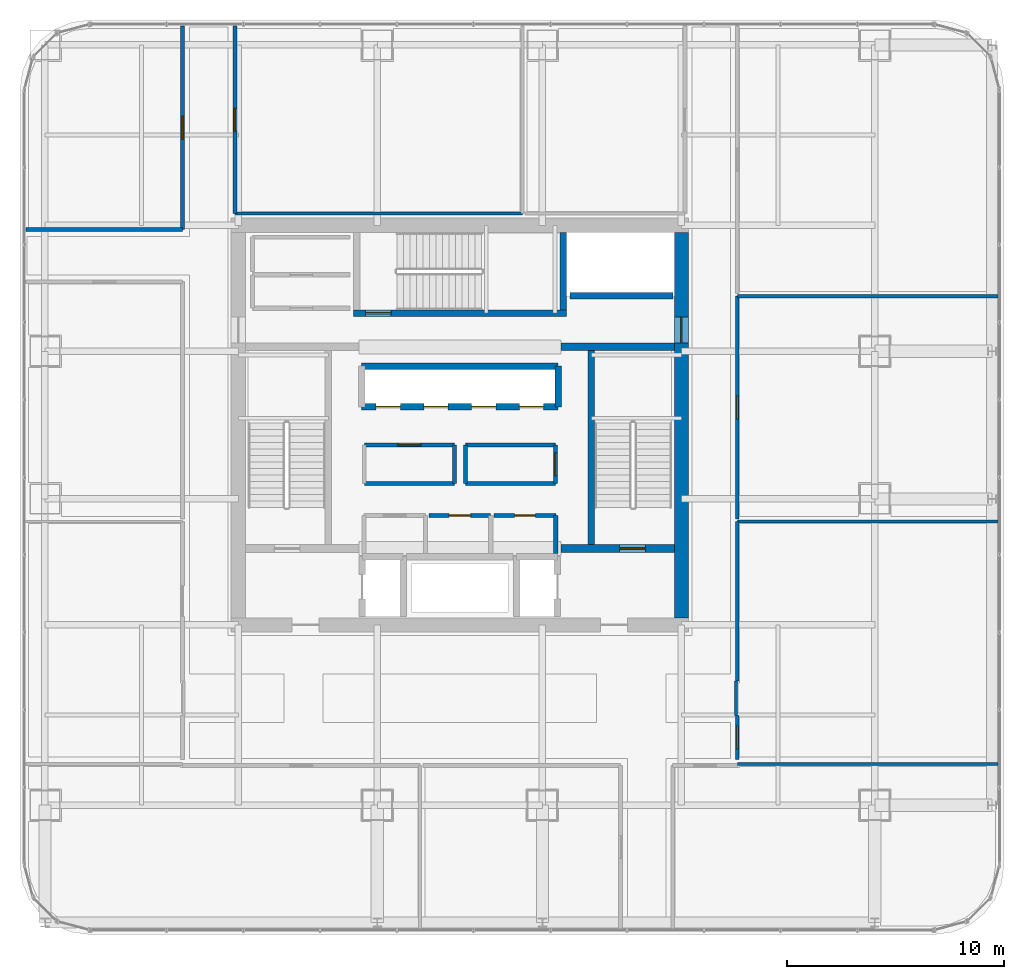
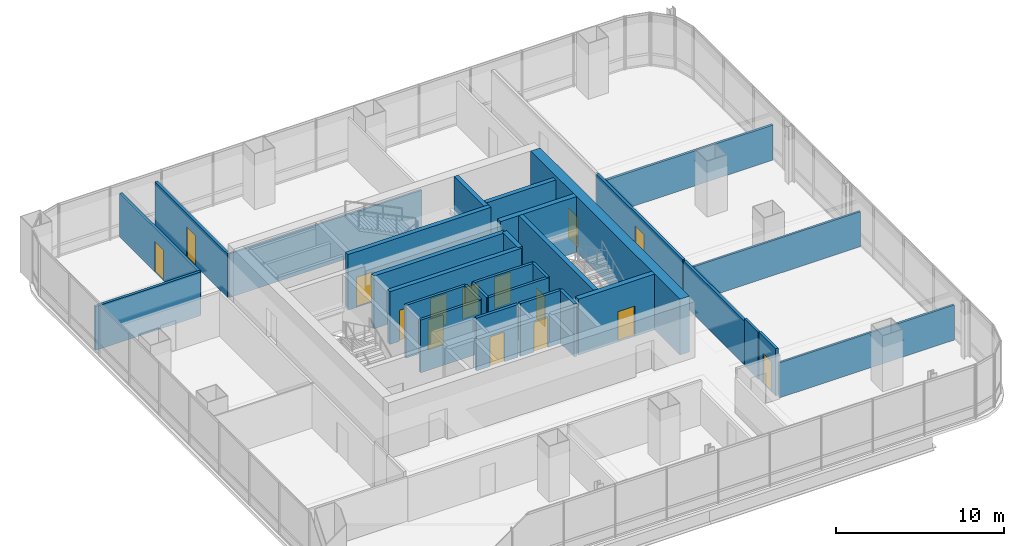
# One storey, part 30 of 36: 31 walls, 15 doors, 15 openings.
"""IFC4 building model written with IfcOpenShell, lengths in metres."""

from ifc_helpers import new_model, si_unit, direction, frame, frame_2d, origin, place, context, subcontext, project, spatial, rectangle, extrude, material, layer, layer_set, type_object, element, fill, save


model = new_model("IFC4")

# Units and contexts
model_context = context("Model", 3, precision=1e-05, world=origin(), true_north=direction((0.0, 1.0)))
body_context = subcontext(model_context, "Body", "Model", "MODEL_VIEW")
ifc_project = project(units=[si_unit("LENGTHUNIT", "METRE"), si_unit("AREAUNIT", "SQUARE_METRE"), si_unit("VOLUMEUNIT", "CUBIC_METRE"), si_unit("PLANEANGLEUNIT", "RADIAN"), si_unit("MASSUNIT", "GRAM", prefix="KILO")], contexts=[model_context])

# Site, building, storey
site_placement = place(None, origin())
site = spatial("IfcSite", under=ifc_project, at=site_placement, CompositionType="ELEMENT")
building_placement = place(site_placement, origin())
building = spatial("IfcBuilding", under=site, at=building_placement, Name="Punatoya Terracotta Tower", CompositionType="ELEMENT")
storey_placement = place(building_placement, frame((0.0, 0.0, 208.64990234375)))
storey = spatial("IfcBuildingStorey", under=building, at=storey_placement, Name="L49", CompositionType="ELEMENT", Elevation=208.64990234375)

# Wall, opening, door
ifc_material_1 = material(Name="Concrete C60/75", Category="concrete")
ifc_layer_1 = layer(ifc_material_1, 0.64990234375)
ifc_layer_set_1 = layer_set([ifc_layer_1], Name="Concrete C60/75")
wall_type_1 = type_object("IfcWallType", Name="WL-COR-650", PredefinedType="SHEAR", material=ifc_layer_set_1)
wall_1_placement = place(storey_placement, frame((10.199951171875, 8.875, 0.0), z_axis=(0.0, 0.0, 1.0), x_axis=(0.0, -1.0, 0.0)))
wall_1 = element("IfcWall", 1, at=wall_1_placement, inside=storey, type_object=wall_type_1, Name="L49 Core Shear Wall E", PredefinedType="SHEAR", context=body_context, shape_type="SweptSolid", body=[
    extrude(rectangle(XDim=17.75, YDim=0.64990234375, at=frame_2d((8.875, 0.0))), origin(), (0.0, 0.0, 1.0), 4.050048828125),
])
opening_1_placement = place(wall_1_placement, frame((3.905029296875, 0.0, 0.0)))
opening_1 = element("IfcOpeningElement", 2, at=opening_1_placement, cuts=wall_1, Name="Opening SD-01", PredefinedType="OPENING", context=body_context, shape_type="SweptSolid", body=[
    extrude(rectangle(XDim=1.179931640625, YDim=2.199951171875, at=frame_2d((0.58984375, 1.10009765625))), frame((0.0, 0.3349609375, 0.0), z_axis=(0.0, -1.0, 0.0), x_axis=(1.0, 0.0, 0.0)), (0.0, 0.0, 1.0), 0.669921875),
])
ifc_material_2 = material(Name="Galvanised Steel Pressurized Stair Fire Door", Category="steel")
door_type_1 = type_object("IfcDoorType", Name="DR-STR-1180", OperationType="NOTDEFINED", PredefinedType="DOOR", material=ifc_material_2)
door_1_placement = place(opening_1_placement, origin())
door_1 = element("IfcDoor", 3, at=door_1_placement, inside=storey, type_object=door_type_1, Name="L49 Central Lift Lobby East Fire Door", OperationType="SINGLE_SWING_RIGHT", OverallHeight=2.199951171875, OverallWidth=1.179931640625, PredefinedType="DOOR", context=body_context, shape_type="SweptSolid", body=[
    extrude(rectangle(XDim=1.179931640625, YDim=2.199951171875, at=frame_2d((0.58984375, 1.10009765625))), frame((0.0, 0.02490234375, 0.0), z_axis=(0.0, -1.0, 0.0), x_axis=(1.0, 0.0, 0.0)), (0.0, 0.0, 1.0), 0.050048828125),
])
fill(opening_1, door_1)

# Wall
ifc_material_3 = material(Name="Gypsum Fireboard + Steel Stud", Category="steel")
ifc_layer_2 = layer(ifc_material_3, 0.179931640625)
ifc_layer_set_2 = layer_set([ifc_layer_2], Name="Gypsum Fireboard + Steel Stud")
wall_type_2 = type_object("IfcWallType", Name="WL-CORR-180", PredefinedType="PARTITIONING", material=ifc_layer_set_2)
wall_2_placement = place(storey_placement, frame((-0.25, -2.679931640625, 0.0), z_axis=(0.0, 0.0, 1.0), x_axis=(0.0, 1.0, 0.0)))
element("IfcWall", 4, at=wall_2_placement, inside=storey, type_object=wall_type_2, Name="L49 West Core Focus Pod Partition 08", PredefinedType="PARTITIONING", context=body_context, shape_type="SweptSolid", body=[
    extrude(rectangle(XDim=1.760009765625, YDim=0.179931640625, at=frame_2d((0.8798828125, 0.0))), origin(), (0.0, 0.0, 1.0), 3.830078125),
])

# Wall, opening, door
wall_3_placement = place(storey_placement, frame((-0.25, -0.919921875, 0.0), z_axis=(0.0, 0.0, 1.0), x_axis=(-1.0, 0.0, 0.0)))
wall_3 = element("IfcWall", 5, at=wall_3_placement, inside=storey, type_object=wall_type_2, Name="L49 West Core Focus Pod Partition 09", PredefinedType="PARTITIONING", context=body_context, shape_type="SweptSolid", body=[
    extrude(rectangle(XDim=4.14990234375, YDim=0.179931640625, at=frame_2d((2.074951171875, 0.0))), origin(), (0.0, 0.0, 1.0), 3.830078125),
])
opening_2_placement = place(wall_3_placement, frame((1.550048828125, 0.0, 0.0)))
opening_2 = element("IfcOpeningElement", 6, at=opening_2_placement, cuts=wall_3, Name="Opening OD-01", PredefinedType="OPENING", context=body_context, shape_type="SweptSolid", body=[
    extrude(rectangle(XDim=1.050048828125, YDim=2.199951171875, at=frame_2d((0.52490234375, 1.10009765625))), frame((0.0, 0.099853515625, 0.0), z_axis=(0.0, -1.0, 0.0), x_axis=(1.0, 0.0, 0.0)), (0.0, 0.0, 1.0), 0.199951171875),
])
ifc_material_4 = material(Name="Bengal Teak Solid-Core Leaf")
door_type_2 = type_object("IfcDoorType", Name="DR-OFF-1050", OperationType="NOTDEFINED", PredefinedType="DOOR", material=ifc_material_4)
door_2_placement = place(opening_2_placement, origin())
door_2 = element("IfcDoor", 7, at=door_2_placement, inside=storey, type_object=door_type_2, Name="L49 West Focus Pod Door", OperationType="SINGLE_SWING_RIGHT", OverallHeight=2.199951171875, OverallWidth=1.050048828125, PredefinedType="DOOR", context=body_context, shape_type="SweptSolid", body=[
    extrude(rectangle(XDim=1.050048828125, YDim=2.199951171875, at=frame_2d((0.52490234375, 1.10009765625))), frame((0.0, 0.02490234375, 0.0), z_axis=(0.0, -1.0, 0.0), x_axis=(1.0, 0.0, 0.0)), (0.0, 0.0, 1.0), 0.050048828125),
])
fill(opening_2, door_2)

# Wall
wall_4_placement = place(storey_placement, frame((-4.39990234375, -2.679931640625, 0.0), z_axis=(0.0, 0.0, 1.0), x_axis=(1.0, 0.0, 0.0)))
element("IfcWall", 8, at=wall_4_placement, inside=storey, type_object=wall_type_2, Name="L49 West Core Focus Pod Partition 11", PredefinedType="PARTITIONING", context=body_context, shape_type="SweptSolid", body=[
    extrude(rectangle(XDim=4.14990234375, YDim=0.179931640625, at=frame_2d((2.074951171875, 0.0))), origin(), (0.0, 0.0, 1.0), 3.830078125),
])

# Wall, opening, door
wall_5_placement = place(storey_placement, frame((4.39990234375, -2.679931640625, 0.0), z_axis=(0.0, 0.0, 1.0), x_axis=(0.0, 1.0, 0.0)))
wall_5 = element("IfcWall", 9, at=wall_5_placement, inside=storey, type_object=wall_type_2, Name="L49 East Core Wellness Room Partition 12", PredefinedType="PARTITIONING", context=body_context, shape_type="SweptSolid", body=[
    extrude(rectangle(XDim=1.760009765625, YDim=0.179931640625, at=frame_2d((0.8798828125, 0.0))), origin(), (0.0, 0.0, 1.0), 3.830078125),
])
opening_3_placement = place(wall_5_placement, frame((0.35498046875, 0.0, 0.0)))
opening_3 = element("IfcOpeningElement", 10, at=opening_3_placement, cuts=wall_5, Name="Opening OD-01", PredefinedType="OPENING", context=body_context, shape_type="SweptSolid", body=[
    extrude(rectangle(XDim=1.050048828125, YDim=2.199951171875, at=frame_2d((0.52490234375, 1.10009765625))), frame((0.0, 0.099853515625, 0.0), z_axis=(0.0, -1.0, 0.0), x_axis=(1.0, 0.0, 0.0)), (0.0, 0.0, 1.0), 0.199951171875),
])
door_3_placement = place(opening_3_placement, origin())
door_3 = element("IfcDoor", 11, at=door_3_placement, inside=storey, type_object=door_type_2, Name="L49 East Wellness Room Door", OperationType="SINGLE_SWING_LEFT", OverallHeight=2.199951171875, OverallWidth=1.050048828125, PredefinedType="DOOR", context=body_context, shape_type="SweptSolid", body=[
    extrude(rectangle(XDim=1.050048828125, YDim=2.199951171875, at=frame_2d((0.52490234375, 1.10009765625))), frame((0.0, 0.02490234375, 0.0), z_axis=(0.0, -1.0, 0.0), x_axis=(1.0, 0.0, 0.0)), (0.0, 0.0, 1.0), 0.050048828125),
])
fill(opening_3, door_3)

# Walls
wall_6_placement = place(storey_placement, frame((4.39990234375, -0.919921875, 0.0), z_axis=(0.0, 0.0, 1.0), x_axis=(-1.0, 0.0, 0.0)))
element("IfcWall", 12, at=wall_6_placement, inside=storey, type_object=wall_type_2, Name="L49 East Core Wellness Room Partition 13", PredefinedType="PARTITIONING", context=body_context, shape_type="SweptSolid", body=[
    extrude(rectangle(XDim=4.14990234375, YDim=0.179931640625, at=frame_2d((2.074951171875, 0.0))), origin(), (0.0, 0.0, 1.0), 3.830078125),
])
wall_7_placement = place(storey_placement, frame((0.25, -0.919921875, 0.0), z_axis=(0.0, 0.0, 1.0), x_axis=(0.0, -1.0, 0.0)))
element("IfcWall", 13, at=wall_7_placement, inside=storey, type_object=wall_type_2, Name="L49 East Core Wellness Room Partition 14", PredefinedType="PARTITIONING", context=body_context, shape_type="SweptSolid", body=[
    extrude(rectangle(XDim=1.760009765625, YDim=0.179931640625, at=frame_2d((0.8798828125, 0.0))), origin(), (0.0, 0.0, 1.0), 3.830078125),
])
wall_8_placement = place(storey_placement, frame((0.25, -2.679931640625, 0.0), z_axis=(0.0, 0.0, 1.0), x_axis=(1.0, 0.0, 0.0)))
element("IfcWall", 14, at=wall_8_placement, inside=storey, type_object=wall_type_2, Name="L49 East Core Wellness Room Partition 15", PredefinedType="PARTITIONING", context=body_context, shape_type="SweptSolid", body=[
    extrude(rectangle(XDim=4.14990234375, YDim=0.179931640625, at=frame_2d((2.074951171875, 0.0))), origin(), (0.0, 0.0, 1.0), 3.830078125),
])

# Wall, opening, door
wall_9_placement = place(storey_placement, frame((12.77001953125, -15.389892578125, 0.0), z_axis=(0.0, 0.0, 1.0), x_axis=(0.0, 1.0, 0.0)))
wall_9 = element("IfcWall", 15, at=wall_9_placement, inside=storey, type_object=wall_type_2, Name="L49 Digital Reference Library Partition 33", PredefinedType="PARTITIONING", context=body_context, shape_type="SweptSolid", body=[
    extrude(rectangle(XDim=2.010009765625, YDim=0.179931640625, at=frame_2d((1.0048828125, 0.0))), origin(), (0.0, 0.0, 1.0), 3.424072265625),
])
opening_4_placement = place(wall_9_placement, frame((0.47998046875, 0.0, 0.0)))
opening_4 = element("IfcOpeningElement", 16, at=opening_4_placement, cuts=wall_9, Name="Opening OD-01", PredefinedType="OPENING", context=body_context, shape_type="SweptSolid", body=[
    extrude(rectangle(XDim=1.050048828125, YDim=2.199951171875, at=frame_2d((0.52490234375, 1.10009765625))), frame((0.0, 0.099853515625, 0.0), z_axis=(0.0, -1.0, 0.0), x_axis=(1.0, 0.0, 0.0)), (0.0, 0.0, 1.0), 0.199951171875),
])
door_4_placement = place(opening_4_placement, origin())
door_4 = element("IfcDoor", 17, at=door_4_placement, inside=storey, type_object=door_type_2, Name="L49 Digital Reference Library Door", OperationType="SINGLE_SWING_RIGHT", OverallHeight=2.199951171875, OverallWidth=1.050048828125, PredefinedType="DOOR", context=body_context, shape_type="SweptSolid", body=[
    extrude(rectangle(XDim=1.050048828125, YDim=2.199951171875, at=frame_2d((0.52490234375, 1.10009765625))), frame((0.0, 0.02490234375, 0.0), z_axis=(0.0, -1.0, 0.0), x_axis=(1.0, 0.0, 0.0)), (0.0, 0.0, 1.0), 0.050048828125),
])
fill(opening_4, door_4)

# Wall
wall_10_placement = place(storey_placement, frame((12.77001953125, -11.77001953125, 0.0), z_axis=(0.0, 0.0, 1.0), x_axis=(0.0, 1.0, 0.0)))
element("IfcWall", 18, at=wall_10_placement, inside=storey, type_object=wall_type_2, Name="L49 Digital Reference Library Partition 35", PredefinedType="PARTITIONING", context=body_context, shape_type="SweptSolid", body=[
    extrude(rectangle(XDim=7.33203125, YDim=0.179931640625, at=frame_2d((3.666015625, 0.0))), origin(), (0.0, 0.0, 1.0), 3.174072265625),
])

# Wall, opening, door
wall_11_placement = place(storey_placement, frame((12.77001953125, -4.318115234375, 0.0), z_axis=(0.0, 0.0, 1.0), x_axis=(0.0, 1.0, 0.0)))
wall_11 = element("IfcWall", 19, at=wall_11_placement, inside=storey, type_object=wall_type_2, Name="L49 Open-Plan Staff Tea Pantry Partition 37", PredefinedType="PARTITIONING", context=body_context, shape_type="SweptSolid", body=[
    extrude(rectangle(XDim=10.260009765625, YDim=0.179931640625, at=frame_2d((5.1298828125, 0.0))), origin(), (0.0, 0.0, 1.0), 3.174072265625),
])
opening_5_placement = place(wall_11_placement, frame((4.60498046875, 0.0, 0.0)))
opening_5 = element("IfcOpeningElement", 20, at=opening_5_placement, cuts=wall_11, Name="Opening OD-01", PredefinedType="OPENING", context=body_context, shape_type="SweptSolid", body=[
    extrude(rectangle(XDim=1.050048828125, YDim=2.199951171875, at=frame_2d((0.52490234375, 1.10009765625))), frame((0.0, 0.099853515625, 0.0), z_axis=(0.0, -1.0, 0.0), x_axis=(1.0, 0.0, 0.0)), (0.0, 0.0, 1.0), 0.199951171875),
])
door_5_placement = place(opening_5_placement, origin())
door_5 = element("IfcDoor", 21, at=door_5_placement, inside=storey, type_object=door_type_2, Name="L49 Open-Plan Staff Tea Pantry Door", OperationType="SINGLE_SWING_LEFT", OverallHeight=2.199951171875, OverallWidth=1.050048828125, PredefinedType="DOOR", context=body_context, shape_type="SweptSolid", body=[
    extrude(rectangle(XDim=1.050048828125, YDim=2.199951171875, at=frame_2d((0.52490234375, 1.10009765625))), frame((0.0, 0.02490234375, 0.0), z_axis=(0.0, -1.0, 0.0), x_axis=(1.0, 0.0, 0.0)), (0.0, 0.0, 1.0), 0.050048828125),
])
fill(opening_5, door_5)

wall_12_placement = place(storey_placement, frame((-12.77001953125, 18.3701171875, 0.0), z_axis=(0.0, 0.0, 1.0), x_axis=(0.0, -1.0, 0.0)))
wall_12 = element("IfcWall", 22, at=wall_12_placement, inside=storey, type_object=wall_type_2, Name="L49 Open-Plan Quantitative Practice Office Partition 42", PredefinedType="PARTITIONING", context=body_context, shape_type="SweptSolid", body=[
    extrude(rectangle(XDim=9.3701171875, YDim=0.179931640625, at=frame_2d((4.68505859375, 0.0))), origin(), (0.0, 0.0, 1.0), 3.174072265625),
])
opening_6_placement = place(wall_12_placement, frame((4.159912109375, 0.0, 0.0)))
opening_6 = element("IfcOpeningElement", 23, at=opening_6_placement, cuts=wall_12, Name="Opening OD-01", PredefinedType="OPENING", context=body_context, shape_type="SweptSolid", body=[
    extrude(rectangle(XDim=1.050048828125, YDim=2.199951171875, at=frame_2d((0.52490234375, 1.10009765625))), frame((0.0, 0.099853515625, 0.0), z_axis=(0.0, -1.0, 0.0), x_axis=(1.0, 0.0, 0.0)), (0.0, 0.0, 1.0), 0.199951171875),
])
door_6_placement = place(opening_6_placement, origin())
door_6 = element("IfcDoor", 24, at=door_6_placement, inside=storey, type_object=door_type_2, Name="L49 Open-Plan Quantitative Practice Office Door", OperationType="SINGLE_SWING_RIGHT", OverallHeight=2.199951171875, OverallWidth=1.050048828125, PredefinedType="DOOR", context=body_context, shape_type="SweptSolid", body=[
    extrude(rectangle(XDim=1.050048828125, YDim=2.199951171875, at=frame_2d((0.52490234375, 1.10009765625))), frame((0.0, 0.02490234375, 0.0), z_axis=(0.0, -1.0, 0.0), x_axis=(1.0, 0.0, 0.0)), (0.0, 0.0, 1.0), 0.050048828125),
])
fill(opening_6, door_6)

# Wall
wall_13_placement = place(storey_placement, frame((-12.77001953125, 9.0, 0.0), z_axis=(0.0, 0.0, 1.0), x_axis=(-1.0, 0.0, 0.0)))
element("IfcWall", 25, at=wall_13_placement, inside=storey, type_object=wall_type_2, Name="L49 Open-Plan Quantitative Practice Office Partition 43", PredefinedType="PARTITIONING", context=body_context, shape_type="SweptSolid", body=[
    extrude(rectangle(XDim=7.199951171875, YDim=0.179931640625, at=frame_2d((3.60009765625, 0.0))), origin(), (0.0, 0.0, 1.0), 3.174072265625),
])

# Wall, opening, door
wall_14_placement = place(storey_placement, frame((-10.360107421875, 9.739990234375, 0.0), z_axis=(0.0, 0.0, 1.0), x_axis=(0.0, 1.0, 0.0)))
wall_14 = element("IfcWall", 26, at=wall_14_placement, inside=storey, type_object=wall_type_2, Name="L49 Open-Plan Regional Operations Office Partition 46", PredefinedType="PARTITIONING", context=body_context, shape_type="SweptSolid", body=[
    extrude(rectangle(XDim=8.630126953125, YDim=0.179931640625, at=frame_2d((4.31494140625, 0.0))), origin(), (0.0, 0.0, 1.0), 3.174072265625),
])
opening_7_placement = place(wall_14_placement, frame((3.7900390625, 0.0, 0.0)))
opening_7 = element("IfcOpeningElement", 27, at=opening_7_placement, cuts=wall_14, Name="Opening OD-01", PredefinedType="OPENING", context=body_context, shape_type="SweptSolid", body=[
    extrude(rectangle(XDim=1.050048828125, YDim=2.199951171875, at=frame_2d((0.52490234375, 1.10009765625))), frame((0.0, 0.099853515625, 0.0), z_axis=(0.0, -1.0, 0.0), x_axis=(1.0, 0.0, 0.0)), (0.0, 0.0, 1.0), 0.199951171875),
])
door_7_placement = place(opening_7_placement, origin())
door_7 = element("IfcDoor", 28, at=door_7_placement, inside=storey, type_object=door_type_2, Name="L49 Open-Plan Regional Operations Office Door", OperationType="SINGLE_SWING_LEFT", OverallHeight=2.199951171875, OverallWidth=1.050048828125, PredefinedType="DOOR", context=body_context, shape_type="SweptSolid", body=[
    extrude(rectangle(XDim=1.050048828125, YDim=2.199951171875, at=frame_2d((0.52490234375, 1.10009765625))), frame((0.0, 0.02490234375, 0.0), z_axis=(0.0, -1.0, 0.0), x_axis=(1.0, 0.0, 0.0)), (0.0, 0.0, 1.0), 0.050048828125),
])
fill(opening_7, door_7)

ifc_material_5 = material(Name="Concrete C40/50", Category="concrete")
ifc_layer_3 = layer(ifc_material_5, 0.199951171875)
ifc_layer_set_3 = layer_set([ifc_layer_3], Name="Concrete C40/50")
wall_type_3 = type_object("IfcWallType", Name="WL-INT-200", PredefinedType="SOLIDWALL", material=ifc_layer_set_3)
wall_15_placement = place(storey_placement, frame((1.419921875, -4.159912109375, 0.0), z_axis=(0.0, 0.0, 1.0), x_axis=(-1.0, 0.0, 0.0)))
wall_15 = element("IfcWall", 29, at=wall_15_placement, inside=storey, type_object=wall_type_3, Name="L49 Accessible Universal Washroom Partition 05", PredefinedType="SOLIDWALL", context=body_context, shape_type="SweptSolid", body=[
    extrude(rectangle(XDim=2.83984375, YDim=0.199951171875, at=frame_2d((1.419921875, 0.0))), origin(), (0.0, 0.0, 1.0), 3.830078125),
])
opening_8_placement = place(wall_15_placement, frame((0.919921875, 0.0, 0.0)))
opening_8 = element("IfcOpeningElement", 30, at=opening_8_placement, cuts=wall_15, Name="Opening AWD-1", PredefinedType="OPENING", context=body_context, shape_type="SweptSolid", body=[
    extrude(rectangle(XDim=1.0, YDim=2.14990234375, at=frame_2d((0.5, 1.074951171875))), frame((0.0, 0.10986328125, 0.0), z_axis=(0.0, -1.0, 0.0), x_axis=(1.0, 0.0, 0.0)), (0.0, 0.0, 1.0), 0.219970703125),
])
ifc_material_6 = material(Name="Bengal Teak Accessible WC Leaf")
door_type_3 = type_object("IfcDoorType", Name="DR-ACC-1000", OperationType="NOTDEFINED", PredefinedType="DOOR", material=ifc_material_6)
door_8_placement = place(opening_8_placement, origin())
door_8 = element("IfcDoor", 31, at=door_8_placement, inside=storey, type_object=door_type_3, Name="L49 Accessible Universal Washroom Door", OperationType="SINGLE_SWING_RIGHT", OverallHeight=2.14990234375, OverallWidth=1.0, PredefinedType="DOOR", context=body_context, shape_type="SweptSolid", body=[
    extrude(rectangle(XDim=1.0, YDim=2.14990234375, at=frame_2d((0.5, 1.074951171875))), frame((0.0, 0.02490234375, 0.0), z_axis=(0.0, -1.0, 0.0), x_axis=(1.0, 0.0, 0.0)), (0.0, 0.0, 1.0), 0.050048828125),
])
fill(opening_8, door_8)

# Wall
wall_16_placement = place(storey_placement, frame((4.419921875, -5.89990234375, 0.0), z_axis=(0.0, 0.0, 1.0), x_axis=(0.0, 1.0, 0.0)))
element("IfcWall", 32, at=wall_16_placement, inside=storey, type_object=wall_type_3, Name="L49 All-Gender Washroom Partition 06", PredefinedType="SOLIDWALL", context=body_context, shape_type="SweptSolid", body=[
    extrude(rectangle(XDim=1.739990234375, YDim=0.199951171875, at=frame_2d((0.8701171875, 0.0))), origin(), (0.0, 0.0, 1.0), 3.830078125),
])

# Wall, opening, door
wall_17_placement = place(storey_placement, frame((4.419921875, -4.159912109375, 0.0), z_axis=(0.0, 0.0, 1.0), x_axis=(-1.0, 0.0, 0.0)))
wall_17 = element("IfcWall", 33, at=wall_17_placement, inside=storey, type_object=wall_type_3, Name="L49 All-Gender Washroom Partition 07", PredefinedType="SOLIDWALL", context=body_context, shape_type="SweptSolid", body=[
    extrude(rectangle(XDim=2.83984375, YDim=0.199951171875, at=frame_2d((1.419921875, 0.0))), origin(), (0.0, 0.0, 1.0), 3.830078125),
])
opening_9_placement = place(wall_17_placement, frame((0.945068359375, 0.0, 0.0)))
opening_9 = element("IfcOpeningElement", 34, at=opening_9_placement, cuts=wall_17, Name="Opening WD-01", PredefinedType="OPENING", context=body_context, shape_type="SweptSolid", body=[
    extrude(rectangle(XDim=0.949951171875, YDim=2.14990234375, at=frame_2d((0.47509765625, 1.074951171875))), frame((0.0, 0.10986328125, 0.0), z_axis=(0.0, -1.0, 0.0), x_axis=(1.0, 0.0, 0.0)), (0.0, 0.0, 1.0), 0.219970703125),
])
ifc_material_7 = material(Name="Moisture-Resistant Laminate Timber Leaf", Category="wood")
door_type_4 = type_object("IfcDoorType", Name="DR-WC-950", OperationType="NOTDEFINED", PredefinedType="DOOR", material=ifc_material_7)
door_9_placement = place(opening_9_placement, origin())
door_9 = element("IfcDoor", 35, at=door_9_placement, inside=storey, type_object=door_type_4, Name="L49 All-Gender Washroom Door", OperationType="SINGLE_SWING_LEFT", OverallHeight=2.14990234375, OverallWidth=0.949951171875, PredefinedType="DOOR", context=body_context, shape_type="SweptSolid", body=[
    extrude(rectangle(XDim=0.949951171875, YDim=2.14990234375, at=frame_2d((0.47509765625, 1.074951171875))), frame((0.0, 0.02490234375, 0.0), z_axis=(0.0, -1.0, 0.0), x_axis=(1.0, 0.0, 0.0)), (0.0, 0.0, 1.0), 0.050048828125),
])
fill(opening_9, door_9)

# Walls
ifc_material_8 = material(Name="Acoustic Gypsum + Steel Stud", Category="steel")
ifc_layer_4 = layer(ifc_material_8, 0.139892578125)
ifc_layer_set_4 = layer_set([ifc_layer_4], Name="Acoustic Gypsum + Steel Stud")
wall_type_4 = type_object("IfcWallType", Name="WL-OFF-140", PredefinedType="PARTITIONING", material=ifc_layer_set_4)
wall_18_placement = place(storey_placement, frame((12.77001953125, -15.610107421875, 0.0), z_axis=(0.0, 0.0, 1.0), x_axis=(1.0, 0.0, 0.0)))
element("IfcWall", 36, at=wall_18_placement, inside=storey, type_object=wall_type_4, Name="L49 Open-Plan Project Design Office Partition 27", PredefinedType="PARTITIONING", context=body_context, shape_type="SweptSolid", body=[
    extrude(rectangle(XDim=12.0, YDim=0.139892578125, at=frame_2d((6.0, 0.0))), origin(), (0.0, 0.0, 1.0), 2.544189453125),
])
wall_19_placement = place(storey_placement, frame((12.7099609375, -13.3798828125, 0.0), z_axis=(0.0, 0.0, 1.0), x_axis=(0.0, 1.0, 0.0)))
element("IfcWall", 37, at=wall_19_placement, inside=storey, type_object=wall_type_4, Name="L49 Digital Reference Library Partition 34", PredefinedType="PARTITIONING", context=body_context, shape_type="SweptSolid", body=[
    extrude(rectangle(XDim=1.60986328125, YDim=0.139892578125, at=frame_2d((0.804931640625, 0.0))), origin(), (0.0, 0.0, 1.0), 3.424072265625),
])
wall_20_placement = place(storey_placement, frame((12.77001953125, -4.43798828125, 0.0), z_axis=(0.0, 0.0, 1.0), x_axis=(1.0, 0.0, 0.0)))
element("IfcWall", 38, at=wall_20_placement, inside=storey, type_object=wall_type_4, Name="L49 Digital Reference Library Partition 36", PredefinedType="PARTITIONING", context=body_context, shape_type="SweptSolid", body=[
    extrude(rectangle(XDim=12.0, YDim=0.139892578125, at=frame_2d((6.0, 0.0))), origin(), (0.0, 0.0, 1.0), 2.544189453125),
])
wall_21_placement = place(storey_placement, frame((2.8740234375, 9.739990234375, 0.0), z_axis=(0.0, 0.0, 1.0), x_axis=(-1.0, 0.0, 0.0)))
element("IfcWall", 39, at=wall_21_placement, inside=storey, type_object=wall_type_4, Name="L49 Open-Plan Regional Operations Office Partition 45", PredefinedType="PARTITIONING", context=body_context, shape_type="SweptSolid", body=[
    extrude(rectangle(XDim=13.234130859375, YDim=0.139892578125, at=frame_2d((6.6171875, 0.0))), origin(), (0.0, 0.0, 1.0), 3.174072265625),
])
ifc_layer_5 = layer(ifc_material_5, 0.300048828125)
ifc_layer_set_5 = layer_set([ifc_layer_5], Name="Concrete C40/50")
wall_type_5 = type_object("IfcWallType", Name="WL-SHF-300", PredefinedType="SOLIDWALL", material=ifc_layer_set_5)
wall_22_placement = place(storey_placement, frame((6.050048828125, 3.449951171875, 0.0), z_axis=(0.0, 0.0, 1.0), x_axis=(0.0, -1.0, 0.0)))
element("IfcWall", 40, at=wall_22_placement, inside=storey, type_object=wall_type_5, Name="L49 Structural Stair Shaft Wall SW-ST2-W", PredefinedType="SOLIDWALL", context=body_context, shape_type="SweptSolid", body=[
    extrude(rectangle(XDim=8.949951171875, YDim=0.300048828125, at=frame_2d((4.47509765625, 0.0))), origin(), (0.0, 0.0, 1.0), 4.050048828125),
])
wall_23_placement = place(storey_placement, frame((4.75, 8.875, 0.0), z_axis=(0.0, 0.0, 1.0), x_axis=(0.0, -1.0, 0.0)))
element("IfcWall", 41, at=wall_23_placement, inside=storey, type_object=wall_type_5, Name="L49 Structural Stair Shaft Wall SW-ST3-E", PredefinedType="SOLIDWALL", context=body_context, shape_type="SweptSolid", body=[
    extrude(rectangle(XDim=3.574951171875, YDim=0.300048828125, at=frame_2d((1.78759765625, 0.0))), origin(), (0.0, 0.0, 1.0), 4.050048828125),
])

# Wall, opening, door
wall_24_placement = place(storey_placement, frame((-4.89990234375, 5.14990234375, 0.0), z_axis=(0.0, 0.0, 1.0), x_axis=(1.0, 0.0, 0.0)))
wall_24 = element("IfcWall", 42, at=wall_24_placement, inside=storey, type_object=wall_type_5, Name="L49 Structural Stair Shaft Wall SW-ST3-S", PredefinedType="SOLIDWALL", context=body_context, shape_type="SweptSolid", body=[
    extrude(rectangle(XDim=9.7998046875, YDim=0.300048828125, at=frame_2d((4.89990234375, 0.0))), origin(), (0.0, 0.0, 1.0), 4.050048828125),
])
opening_10_placement = place(wall_24_placement, frame((0.56005859375, 0.0, 0.0)))
opening_10 = element("IfcOpeningElement", 43, at=opening_10_placement, cuts=wall_24, Name="Opening SD-01", PredefinedType="OPENING", context=body_context, shape_type="SweptSolid", body=[
    extrude(rectangle(XDim=1.179931640625, YDim=2.199951171875, at=frame_2d((0.58984375, 1.10009765625))), frame((0.0, 0.159912109375, 0.0), z_axis=(0.0, -1.0, 0.0), x_axis=(1.0, 0.0, 0.0)), (0.0, 0.0, 1.0), 0.320068359375),
])
door_10_placement = place(opening_10_placement, origin())
door_10 = element("IfcDoor", 44, at=door_10_placement, inside=storey, type_object=door_type_1, Name="L49 Stair ST-3 Core Lobby Fire Door", OperationType="SINGLE_SWING_LEFT", OverallHeight=2.199951171875, OverallWidth=1.179931640625, PredefinedType="DOOR", context=body_context, shape_type="SweptSolid", body=[
    extrude(rectangle(XDim=1.179931640625, YDim=2.199951171875, at=frame_2d((0.58984375, 1.10009765625))), frame((0.0, 0.02490234375, 0.0), z_axis=(0.0, -1.0, 0.0), x_axis=(1.0, 0.0, 0.0)), (0.0, 0.0, 1.0), 0.050048828125),
])
fill(opening_10, door_10)

# Wall, openings, doors
wall_25_placement = place(storey_placement, frame((-4.52001953125, 0.840087890625, 0.0), z_axis=(0.0, 0.0, 1.0), x_axis=(1.0, 0.0, 0.0)))
wall_25 = element("IfcWall", 45, at=wall_25_placement, inside=storey, type_object=wall_type_5, Name="L49 North Lift Bank Front Shaft Wall", PredefinedType="SOLIDWALL", context=body_context, shape_type="SweptSolid", body=[
    extrude(rectangle(XDim=9.0400390625, YDim=0.300048828125, at=frame_2d((4.52001953125, 0.0))), origin(), (0.0, 0.0, 1.0), 3.830078125),
])
opening_11_placement = place(wall_25_placement, frame((0.659912109375, 0.0, 0.0)))
opening_11 = element("IfcOpeningElement", 46, at=opening_11_placement, cuts=wall_25, Name="Opening LD-02", PredefinedType="OPENING", context=body_context, shape_type="SweptSolid", body=[
    extrude(rectangle(XDim=1.1201171875, YDim=2.25, at=frame_2d((0.56005859375, 1.125))), frame((0.0, 0.159912109375, 0.0), z_axis=(0.0, -1.0, 0.0), x_axis=(1.0, 0.0, 0.0)), (0.0, 0.0, 1.0), 0.320068359375),
])
opening_12_placement = place(wall_25_placement, frame((2.860107421875, 0.0, 0.0)))
opening_12 = element("IfcOpeningElement", 47, at=opening_12_placement, cuts=wall_25, Name="Opening LD-02", PredefinedType="OPENING", context=body_context, shape_type="SweptSolid", body=[
    extrude(rectangle(XDim=1.1201171875, YDim=2.25, at=frame_2d((0.56005859375, 1.125))), frame((0.0, 0.159912109375, 0.0), z_axis=(0.0, -1.0, 0.0), x_axis=(1.0, 0.0, 0.0)), (0.0, 0.0, 1.0), 0.320068359375),
])
opening_13_placement = place(wall_25_placement, frame((5.06005859375, 0.0, 0.0)))
opening_13 = element("IfcOpeningElement", 48, at=opening_13_placement, cuts=wall_25, Name="Opening LD-02", PredefinedType="OPENING", context=body_context, shape_type="SweptSolid", body=[
    extrude(rectangle(XDim=1.1201171875, YDim=2.25, at=frame_2d((0.56005859375, 1.125))), frame((0.0, 0.159912109375, 0.0), z_axis=(0.0, -1.0, 0.0), x_axis=(1.0, 0.0, 0.0)), (0.0, 0.0, 1.0), 0.320068359375),
])
opening_14_placement = place(wall_25_placement, frame((7.260009765625, 0.0, 0.0)))
opening_14 = element("IfcOpeningElement", 49, at=opening_14_placement, cuts=wall_25, Name="Opening LD-02", PredefinedType="OPENING", context=body_context, shape_type="SweptSolid", body=[
    extrude(rectangle(XDim=1.1201171875, YDim=2.25, at=frame_2d((0.56005859375, 1.125))), frame((0.0, 0.159912109375, 0.0), z_axis=(0.0, -1.0, 0.0), x_axis=(1.0, 0.0, 0.0)), (0.0, 0.0, 1.0), 0.320068359375),
])
ifc_material_9 = material(Name="Stainless Steel Lift Landing Door", Category="steel")
door_type_5 = type_object("IfcDoorType", Name="DR-LND-1120", OperationType="NOTDEFINED", PredefinedType="DOOR", material=ifc_material_9)
door_11_placement = place(opening_11_placement, origin())
door_11 = element("IfcDoor", 50, at=door_11_placement, inside=storey, type_object=door_type_5, Name="L49 Lift PL-M1 Sliding Landing Door", OperationType="DOUBLE_DOOR_SLIDING", OverallHeight=2.25, OverallWidth=1.1201171875, PredefinedType="DOOR", context=body_context, shape_type="SweptSolid", body=[
    extrude(rectangle(XDim=1.1201171875, YDim=2.25, at=frame_2d((0.56005859375, 1.125))), frame((0.0, 0.02490234375, 0.0), z_axis=(0.0, -1.0, 0.0), x_axis=(1.0, 0.0, 0.0)), (0.0, 0.0, 1.0), 0.050048828125),
])
fill(opening_11, door_11)
door_12_placement = place(opening_12_placement, origin())
door_12 = element("IfcDoor", 51, at=door_12_placement, inside=storey, type_object=door_type_5, Name="L49 Lift PL-M2 Sliding Landing Door", OperationType="DOUBLE_DOOR_SLIDING", OverallHeight=2.25, OverallWidth=1.1201171875, PredefinedType="DOOR", context=body_context, shape_type="SweptSolid", body=[
    extrude(rectangle(XDim=1.1201171875, YDim=2.25, at=frame_2d((0.56005859375, 1.125))), frame((0.0, 0.02490234375, 0.0), z_axis=(0.0, -1.0, 0.0), x_axis=(1.0, 0.0, 0.0)), (0.0, 0.0, 1.0), 0.050048828125),
])
fill(opening_12, door_12)
door_13_placement = place(opening_13_placement, origin())
door_13 = element("IfcDoor", 52, at=door_13_placement, inside=storey, type_object=door_type_5, Name="L49 Lift PL-M3 Sliding Landing Door", OperationType="DOUBLE_DOOR_SLIDING", OverallHeight=2.25, OverallWidth=1.1201171875, PredefinedType="DOOR", context=body_context, shape_type="SweptSolid", body=[
    extrude(rectangle(XDim=1.1201171875, YDim=2.25, at=frame_2d((0.56005859375, 1.125))), frame((0.0, 0.02490234375, 0.0), z_axis=(0.0, -1.0, 0.0), x_axis=(1.0, 0.0, 0.0)), (0.0, 0.0, 1.0), 0.050048828125),
])
fill(opening_13, door_13)
door_14_placement = place(opening_14_placement, origin())
door_14 = element("IfcDoor", 53, at=door_14_placement, inside=storey, type_object=door_type_5, Name="L49 Lift PL-M4 Sliding Landing Door", OperationType="DOUBLE_DOOR_SLIDING", OverallHeight=2.25, OverallWidth=1.1201171875, PredefinedType="DOOR", context=body_context, shape_type="SweptSolid", body=[
    extrude(rectangle(XDim=1.1201171875, YDim=2.25, at=frame_2d((0.56005859375, 1.125))), frame((0.0, 0.02490234375, 0.0), z_axis=(0.0, -1.0, 0.0), x_axis=(1.0, 0.0, 0.0)), (0.0, 0.0, 1.0), 0.050048828125),
])
fill(opening_14, door_14)

# Walls
wall_26_placement = place(storey_placement, frame((-4.52001953125, 2.719970703125, 0.0), z_axis=(0.0, 0.0, 1.0), x_axis=(1.0, 0.0, 0.0)))
element("IfcWall", 54, at=wall_26_placement, inside=storey, type_object=wall_type_5, Name="L49 North Lift Bank Rear Shaft Wall", PredefinedType="SOLIDWALL", context=body_context, shape_type="SweptSolid", body=[
    extrude(rectangle(XDim=9.0400390625, YDim=0.300048828125, at=frame_2d((4.52001953125, 0.0))), origin(), (0.0, 0.0, 1.0), 3.830078125),
])
wall_27_placement = place(storey_placement, frame((4.52001953125, 0.840087890625, 0.0), z_axis=(0.0, 0.0, 1.0), x_axis=(0.0, 1.0, 0.0)))
element("IfcWall", 55, at=wall_27_placement, inside=storey, type_object=wall_type_5, Name="L49 North Lift Bank East End Wall", PredefinedType="SOLIDWALL", context=body_context, shape_type="SweptSolid", body=[
    extrude(rectangle(XDim=1.8798828125, YDim=0.300048828125, at=frame_2d((0.93994140625, 0.0))), origin(), (0.0, 0.0, 1.0), 3.830078125),
])
wall_28_placement = place(storey_placement, frame((5.06005859375, 5.949951171875, 0.0), z_axis=(0.0, 0.0, 1.0), x_axis=(1.0, 0.0, 0.0)))
element("IfcWall", 56, at=wall_28_placement, inside=storey, type_object=wall_type_5, Name="L49 Shuttle SL-2 South Hoistway Wall", PredefinedType="SOLIDWALL", context=body_context, shape_type="SweptSolid", body=[
    extrude(rectangle(XDim=4.760009765625, YDim=0.300048828125, at=frame_2d((2.3798828125, 0.0))), origin(), (0.0, 0.0, 1.0), 3.830078125),
])

# Wall, opening, door
ifc_material_10 = material(Name="Concrete C50/60", Category="concrete")
ifc_layer_6 = layer(ifc_material_10, 0.35009765625)
ifc_layer_set_6 = layer_set([ifc_layer_6], Name="Concrete C50/60")
wall_type_6 = type_object("IfcWallType", Name="WL-SHF-350", PredefinedType="SOLIDWALL", material=ifc_layer_set_6)
wall_29_placement = place(storey_placement, frame((4.64990234375, -5.679931640625, 0.0), z_axis=(0.0, 0.0, 1.0), x_axis=(1.0, 0.0, 0.0)))
wall_29 = element("IfcWall", 57, at=wall_29_placement, inside=storey, type_object=wall_type_6, Name="L49 Core Web Wall CSW-R", PredefinedType="SOLIDWALL", context=body_context, shape_type="SweptSolid", body=[
    extrude(rectangle(XDim=5.22509765625, YDim=0.35009765625, at=frame_2d((2.612548828125, 0.0))), origin(), (0.0, 0.0, 1.0), 4.050048828125),
])
opening_15_placement = place(wall_29_placement, frame((2.7099609375, 0.0, 0.0)))
opening_15 = element("IfcOpeningElement", 58, at=opening_15_placement, cuts=wall_29, Name="Opening SD-01", PredefinedType="OPENING", context=body_context, shape_type="SweptSolid", body=[
    extrude(rectangle(XDim=1.179931640625, YDim=2.199951171875, at=frame_2d((0.58984375, 1.10009765625))), frame((0.0, 0.18505859375, 0.0), z_axis=(0.0, -1.0, 0.0), x_axis=(1.0, 0.0, 0.0)), (0.0, 0.0, 1.0), 0.3701171875),
])
door_15_placement = place(opening_15_placement, origin())
door_15 = element("IfcDoor", 59, at=door_15_placement, inside=storey, type_object=door_type_1, Name="L49 Stair ST-2 Smokeproof Lobby Fire Door", OperationType="SINGLE_SWING_RIGHT", OverallHeight=2.199951171875, OverallWidth=1.179931640625, PredefinedType="DOOR", context=body_context, shape_type="SweptSolid", body=[
    extrude(rectangle(XDim=1.179931640625, YDim=2.199951171875, at=frame_2d((0.58984375, 1.10009765625))), frame((0.0, 0.02490234375, 0.0), z_axis=(0.0, -1.0, 0.0), x_axis=(1.0, 0.0, 0.0)), (0.0, 0.0, 1.0), 0.050048828125),
])
fill(opening_15, door_15)

# Walls
wall_30_placement = place(storey_placement, frame((4.64990234375, 3.60009765625, 0.0), z_axis=(0.0, 0.0, 1.0), x_axis=(1.0, 0.0, 0.0)))
element("IfcWall", 60, at=wall_30_placement, inside=storey, type_object=wall_type_6, Name="L49 Core Web Wall CNW-R", PredefinedType="SOLIDWALL", context=body_context, shape_type="SweptSolid", body=[
    extrude(rectangle(XDim=5.22509765625, YDim=0.35009765625, at=frame_2d((2.612548828125, 0.0))), origin(), (0.0, 0.0, 1.0), 4.050048828125),
])
ifc_material_11 = material(Name="Masonry Blockwork + Ceramic Tile", Category="masonry")
ifc_layer_7 = layer(ifc_material_11, 0.159912109375)
ifc_layer_set_7 = layer_set([ifc_layer_7], Name="Masonry Blockwork + Ceramic Tile")
wall_type_7 = type_object("IfcWallType", Name="WL-WET-160", PredefinedType="PARTITIONING", material=ifc_layer_set_7)
wall_31_placement = place(storey_placement, frame((12.77001953125, 5.94189453125, 0.0), z_axis=(0.0, 0.0, 1.0), x_axis=(1.0, 0.0, 0.0)))
element("IfcWall", 61, at=wall_31_placement, inside=storey, type_object=wall_type_7, Name="L49 Open-Plan Staff Tea Pantry Partition 38", PredefinedType="PARTITIONING", context=body_context, shape_type="SweptSolid", body=[
    extrude(rectangle(XDim=12.0, YDim=0.159912109375, at=frame_2d((6.0, 0.0))), origin(), (0.0, 0.0, 1.0), 2.544189453125),
])

save(model, "model.ifc")
